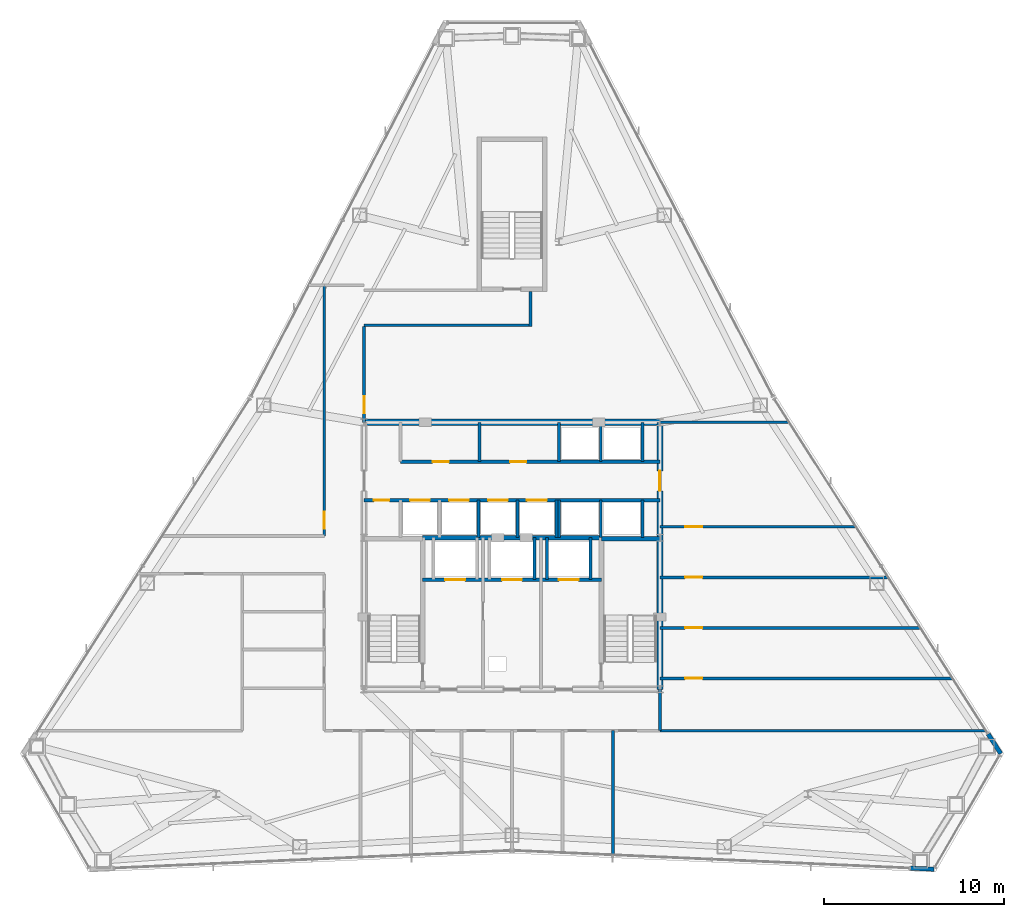
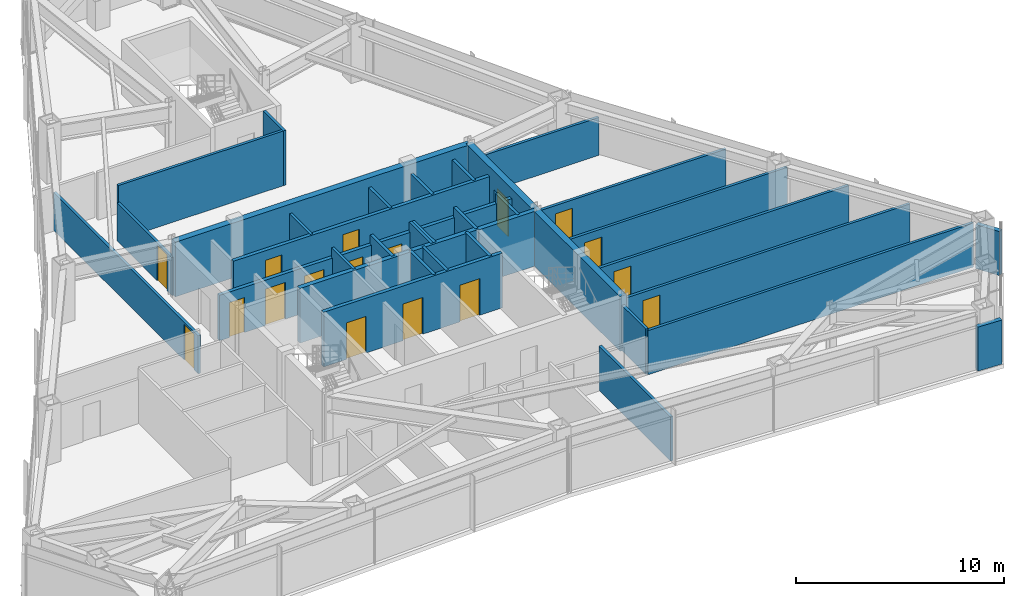
# One storey, part 11 of 13: 34 walls, 17 doors, 17 openings.
"""IFC4 building model written with IfcOpenShell, lengths in metres."""

from ifc_helpers import new_model, si_unit, direction, frame, frame_2d, origin, place, context, subcontext, project, spatial, rectangle, extrude, material, layer, layer_set, type_object, element, fill, save


model = new_model("IFC4")

# Units and contexts
model_context = context("Model", 3, precision=1e-05, world=origin(), true_north=direction((0.0, 1.0)))
body_context = subcontext(model_context, "Body", "Model", "MODEL_VIEW")
ifc_project = project(units=[si_unit("LENGTHUNIT", "METRE"), si_unit("AREAUNIT", "SQUARE_METRE"), si_unit("VOLUMEUNIT", "CUBIC_METRE"), si_unit("PLANEANGLEUNIT", "RADIAN"), si_unit("MASSUNIT", "GRAM", prefix="KILO")], contexts=[model_context])

# Site, building, storey
site_placement = place(None, origin())
site = spatial("IfcSite", under=ifc_project, at=site_placement, CompositionType="ELEMENT")
building_placement = place(site_placement, origin())
building = spatial("IfcBuilding", under=site, at=building_placement, Name="Varakhsha Concourse Tower", CompositionType="ELEMENT")
storey_placement = place(building_placement, frame((0.0, 0.0, 189.60009765625)))
storey = spatial("IfcBuildingStorey", under=building, at=storey_placement, Name="L54", CompositionType="ELEMENT", Elevation=189.60009765625)

# Wall
ifc_material_1 = material(Name="Concrete fc 65 MPa", Category="concrete")
ifc_layer_1 = layer(ifc_material_1, 0.35009765625, Name="WL-CORE-350")
ifc_layer_set_1 = layer_set([ifc_layer_1], Name="Concrete fc 65 MPa")
wall_type_1 = type_object("IfcWallType", Name="WL-CORE-350", PredefinedType="SHEAR", material=ifc_layer_set_1)
wall_1_placement = place(storey_placement, frame((31.800048828125, 31.199951171875, 0.0), z_axis=(0.0, 0.0, 1.0), x_axis=(1.0, 0.0, 0.0)))
element("IfcWall", 1, at=wall_1_placement, inside=storey, type_object=wall_type_1, Name="L54 Wall CWALL-N-L54", PredefinedType="SHEAR", context=body_context, shape_type="SweptSolid", body=[
    extrude(rectangle(XDim=16.39990234375, YDim=0.35009765625, at=frame_2d((8.199951171875, 0.0))), origin(), (0.0, 0.0, 1.0), 3.2099609375),
])

# Wall, opening, door
wall_2_placement = place(storey_placement, frame((48.199951171875, 16.39990234375, 0.0), z_axis=(0.0, 0.0, 1.0), x_axis=(0.0, 1.0, 0.0)))
wall_2 = element("IfcWall", 2, at=wall_2_placement, inside=storey, type_object=wall_type_1, Name="L54 Wall CWALL-E-L54", PredefinedType="SHEAR", context=body_context, shape_type="SweptSolid", body=[
    extrude(rectangle(XDim=14.800048828125, YDim=0.35009765625, at=frame_2d((7.39990234375, 0.0))), origin(), (0.0, 0.0, 1.0), 3.2099609375),
])
opening_1_placement = place(wall_2_placement, frame((11.0, 0.0, 0.0)))
opening_1 = element("IfcOpeningElement", 3, at=opening_1_placement, cuts=wall_2, Name="Opening DL-01", PredefinedType="OPENING", context=body_context, shape_type="SweptSolid", body=[
    extrude(rectangle(XDim=1.10009765625, YDim=2.14990234375, at=frame_2d((0.550048828125, 1.074951171875))), frame((0.0, 0.18505859375, 0.0), z_axis=(0.0, -1.0, 0.0), x_axis=(1.0, 0.0, 0.0)), (0.0, 0.0, 1.0), 0.3701171875),
])
ifc_material_2 = material(Name="Anodised Bronze Architectural Aluminium AA 6063-T6", Category="aluminium")
door_type_1 = type_object("IfcDoorType", Name="DR-LOB-1100", OperationType="NOTDEFINED", PredefinedType="DOOR", material=ifc_material_2)
door_1_placement = place(opening_1_placement, origin())
door_1 = element("IfcDoor", 4, at=door_1_placement, inside=storey, type_object=door_type_1, Name="L54 Lift Lobby East Concourse Door", OperationType="SINGLE_SWING_RIGHT", OverallHeight=2.14990234375, OverallWidth=1.10009765625, PredefinedType="DOOR", context=body_context, shape_type="SweptSolid", body=[
    extrude(rectangle(XDim=1.10009765625, YDim=2.14990234375, at=frame_2d((0.550048828125, 1.074951171875))), frame((0.0, 0.02490234375, 0.0), z_axis=(0.0, -1.0, 0.0), x_axis=(1.0, 0.0, 0.0)), (0.0, 0.0, 1.0), 0.050048828125),
])
fill(opening_1, door_1)

# Walls
ifc_material_3 = material(Name="Concrete fc 45 MPa", Category="concrete")
ifc_layer_2 = layer(ifc_material_3, 0.239990234375, Name="WL-EXT-CRN-240")
ifc_layer_set_2 = layer_set([ifc_layer_2], Name="Concrete fc 45 MPa")
wall_type_2 = type_object("IfcWallType", Name="WL-EXT-CRN-240", PredefinedType="SHEAR", material=ifc_layer_set_2)
for number, where, z_axis, x_axis, name in (
    (5, (62.093994140625, 6.481201171875, 0.0), (0.0, 0.0, 1.0), (0.999023236483, -0.044187927832, 0.0), "L54 Wind-Corner Shoulder Wall F6"),
    (6, (67.09033203125, 12.830810546875, 0.0), (0.0, 0.0, 1.0), (-0.537970071256, 0.842963938987, 0.0), "L54 Wind-Corner Shoulder Wall F8"),
):
    element("IfcWall", number, at=place(storey_placement, frame(where, z_axis=z_axis, x_axis=x_axis)), inside=storey, type_object=wall_type_2, Name=name, PredefinedType="SHEAR", context=body_context, shape_type="SweptSolid", body=[
        extrude(rectangle(XDim=1.29833984375, YDim=0.239990234375, at=frame_2d((0.649169921875, 0.0))), origin(), (0.0, 0.0, 1.0), 2.5830078125),
    ])
ifc_material_4 = material(Name="Fire-Rated Type X Gypsum Partition Assembly", Category="gypsum")
ifc_layer_3 = layer(ifc_material_4, 0.14990234375, Name="WL-PART-150")
ifc_layer_set_3 = layer_set([ifc_layer_3], Name="Fire-Rated Type X Gypsum Partition Assembly")
wall_type_3 = type_object("IfcWallType", Name="WL-PART-150", PredefinedType="PARTITIONING", material=ifc_layer_set_3)
wall_3_placement = place(storey_placement, frame((38.199951171875, 29.02001953125, 0.0), z_axis=(0.0, 0.0, 1.0), x_axis=(0.0, 1.0, 0.0)))
element("IfcWall", 7, at=wall_3_placement, inside=storey, type_object=wall_type_3, Name="L54 Wall P1F-D1-L54", PredefinedType="PARTITIONING", context=body_context, shape_type="SweptSolid", body=[
    extrude(rectangle(XDim=2.179931640625, YDim=0.14990234375, at=frame_2d((1.08984375, 0.0))), origin(), (0.0, 0.0, 1.0), 2.664794921875),
])
wall_4_placement = place(storey_placement, frame((48.199951171875, 14.10009765625, 0.0), z_axis=(0.0, 0.0, 1.0), x_axis=(0.0, 1.0, 0.0)))
element("IfcWall", 8, at=wall_4_placement, inside=storey, type_object=wall_type_3, Name="L54 Wall CRW-SE-L54", PredefinedType="PARTITIONING", context=body_context, shape_type="SweptSolid", body=[
    extrude(rectangle(XDim=2.2998046875, YDim=0.14990234375, at=frame_2d((1.14990234375, 0.0))), origin(), (0.0, 0.0, 1.0), 2.664794921875),
])

# Wall, opening, door
wall_5_placement = place(storey_placement, frame((29.60009765625, 24.89990234375, 0.0), z_axis=(0.0, 0.0, 1.0), x_axis=(0.0, 1.0, 0.0)))
wall_5 = element("IfcWall", 9, at=wall_5_placement, inside=storey, type_object=wall_type_3, Name="L54 Wall CRW-WN-L54", PredefinedType="PARTITIONING", context=body_context, shape_type="SweptSolid", body=[
    extrude(rectangle(XDim=13.900146484375, YDim=0.14990234375, at=frame_2d((6.9501953125, 0.0))), origin(), (0.0, 0.0, 1.0), 2.224853515625),
])
opening_2_placement = place(wall_5_placement, frame((0.39990234375, 0.0, 0.0)))
opening_2 = element("IfcOpeningElement", 10, at=opening_2_placement, cuts=wall_5, Name="Opening DF-05", PredefinedType="OPENING", context=body_context, shape_type="SweptSolid", body=[
    extrude(rectangle(XDim=0.949951171875, YDim=2.10009765625, at=frame_2d((0.47509765625, 1.050048828125))), frame((0.0, 0.0849609375, 0.0), z_axis=(0.0, -1.0, 0.0), x_axis=(1.0, 0.0, 0.0)), (0.0, 0.0, 1.0), 0.169921875),
])
ifc_material_5 = material(Name="Hollow Galvanised Steel Fire Door Assembly", Category="steel")
door_type_2 = type_object("IfcDoorType", Name="DR-FD60-950", OperationType="NOTDEFINED", PredefinedType="DOOR", material=ifc_material_5)
door_2_placement = place(opening_2_placement, origin())
door_2 = element("IfcDoor", 11, at=door_2_placement, inside=storey, type_object=door_type_2, Name="L54 Client Briefing Studio L54-NW Door", OperationType="SINGLE_SWING_RIGHT", OverallHeight=2.10009765625, OverallWidth=0.949951171875, PredefinedType="DOOR", context=body_context, shape_type="SweptSolid", body=[
    extrude(rectangle(XDim=0.949951171875, YDim=2.10009765625, at=frame_2d((0.47509765625, 1.050048828125))), frame((0.0, 0.02490234375, 0.0), z_axis=(0.0, -1.0, 0.0), x_axis=(1.0, 0.0, 0.0)), (0.0, 0.0, 1.0), 0.050048828125),
])
fill(opening_2, door_2)

wall_6_placement = place(storey_placement, frame((31.800048828125, 31.199951171875, 0.0), z_axis=(0.0, 0.0, 1.0), x_axis=(0.0, 1.0, 0.0)))
wall_6 = element("IfcWall", 12, at=wall_6_placement, inside=storey, type_object=wall_type_3, Name="L54 Wall CRW-NE-L54", PredefinedType="PARTITIONING", context=body_context, shape_type="SweptSolid", body=[
    extrude(rectangle(XDim=5.300048828125, YDim=0.14990234375, at=frame_2d((2.64990234375, 0.0))), origin(), (0.0, 0.0, 1.0), 2.224853515625),
])
opening_3_placement = place(wall_6_placement, frame((0.5, 0.0, 0.0)))
opening_3 = element("IfcOpeningElement", 13, at=opening_3_placement, cuts=wall_6, Name="Opening DF-05", PredefinedType="OPENING", context=body_context, shape_type="SweptSolid", body=[
    extrude(rectangle(XDim=0.949951171875, YDim=2.10009765625, at=frame_2d((0.47509765625, 1.050048828125))), frame((0.0, 0.0849609375, 0.0), z_axis=(0.0, -1.0, 0.0), x_axis=(1.0, 0.0, 0.0)), (0.0, 0.0, 1.0), 0.169921875),
])
door_3_placement = place(opening_3_placement, origin())
door_3 = element("IfcDoor", 14, at=door_3_placement, inside=storey, type_object=door_type_2, Name="L54 Mountain View Project Controls Workroom L54-NE1 Door", OperationType="SINGLE_SWING_RIGHT", OverallHeight=2.10009765625, OverallWidth=0.949951171875, PredefinedType="DOOR", context=body_context, shape_type="SweptSolid", body=[
    extrude(rectangle(XDim=0.949951171875, YDim=2.10009765625, at=frame_2d((0.47509765625, 1.050048828125))), frame((0.0, 0.02490234375, 0.0), z_axis=(0.0, -1.0, 0.0), x_axis=(1.0, 0.0, 0.0)), (0.0, 0.0, 1.0), 0.050048828125),
])
fill(opening_3, door_3)

# Walls
wall_7_placement = place(storey_placement, frame((45.60009765625, 7.21728515625, 0.0), z_axis=(0.0, 0.0, 1.0), x_axis=(0.0, 1.0, 0.0)))
element("IfcWall", 15, at=wall_7_placement, inside=storey, type_object=wall_type_3, Name="L54 Wall ODIV-S6-L54", PredefinedType="PARTITIONING", context=body_context, shape_type="SweptSolid", body=[
    extrude(rectangle(XDim=6.8828125, YDim=0.14990234375, at=frame_2d((3.44140625, 0.0))), origin(), (0.0, 0.0, 1.0), 2.5888671875),
])
wall_8_placement = place(storey_placement, frame((48.199951171875, 31.199951171875, 0.0), z_axis=(0.0, 0.0, 1.0), x_axis=(1.0, 0.0, 0.0)))
element("IfcWall", 16, at=wall_8_placement, inside=storey, type_object=wall_type_3, Name="L54 Wall ODIV-NEB-L54", PredefinedType="PARTITIONING", context=body_context, shape_type="SweptSolid", body=[
    extrude(rectangle(XDim=7.16455078125, YDim=0.14990234375, at=frame_2d((3.582275390625, 0.0))), origin(), (0.0, 0.0, 1.0), 2.224853515625),
])
wall_9_placement = place(storey_placement, frame((48.199951171875, 14.10009765625, 0.0), z_axis=(0.0, 0.0, 1.0), x_axis=(1.0, 0.0, 0.0)))
element("IfcWall", 17, at=wall_9_placement, inside=storey, type_object=wall_type_3, Name="L54 Wall ODIV-EB0-L54", PredefinedType="PARTITIONING", context=body_context, shape_type="SweptSolid", body=[
    extrude(rectangle(XDim=18.074462890625, YDim=0.14990234375, at=frame_2d((9.037109375, 0.0))), origin(), (0.0, 0.0, 1.0), 2.5888671875),
])

# Wall, opening, door
wall_10_placement = place(storey_placement, frame((48.199951171875, 17.0, 0.0), z_axis=(0.0, 0.0, 1.0), x_axis=(1.0, 0.0, 0.0)))
wall_10 = element("IfcWall", 18, at=wall_10_placement, inside=storey, type_object=wall_type_3, Name="L54 Wall ODIV-E1-L54", PredefinedType="PARTITIONING", context=body_context, shape_type="SweptSolid", body=[
    extrude(rectangle(XDim=16.224365234375, YDim=0.14990234375, at=frame_2d((8.1123046875, 0.0))), origin(), (0.0, 0.0, 1.0), 2.5888671875),
])
opening_4_placement = place(wall_10_placement, frame((1.39990234375, 0.0, 0.0)))
opening_4 = element("IfcOpeningElement", 19, at=opening_4_placement, cuts=wall_10, Name="Opening DF-05", PredefinedType="OPENING", context=body_context, shape_type="SweptSolid", body=[
    extrude(rectangle(XDim=0.949951171875, YDim=2.10009765625, at=frame_2d((0.47509765625, 1.050048828125))), frame((0.0, 0.0849609375, 0.0), z_axis=(0.0, -1.0, 0.0), x_axis=(1.0, 0.0, 0.0)), (0.0, 0.0, 1.0), 0.169921875),
])
door_4_placement = place(opening_4_placement, origin())
door_4 = element("IfcDoor", 20, at=door_4_placement, inside=storey, type_object=door_type_2, Name="L54 East Suite Interconnect Door 1", OperationType="SINGLE_SWING_LEFT", OverallHeight=2.10009765625, OverallWidth=0.949951171875, PredefinedType="DOOR", context=body_context, shape_type="SweptSolid", body=[
    extrude(rectangle(XDim=0.949951171875, YDim=2.10009765625, at=frame_2d((0.47509765625, 1.050048828125))), frame((0.0, 0.02490234375, 0.0), z_axis=(0.0, -1.0, 0.0), x_axis=(1.0, 0.0, 0.0)), (0.0, 0.0, 1.0), 0.050048828125),
])
fill(opening_4, door_4)

wall_11_placement = place(storey_placement, frame((48.199951171875, 19.800048828125, 0.0), z_axis=(0.0, 0.0, 1.0), x_axis=(1.0, 0.0, 0.0)))
wall_11 = element("IfcWall", 21, at=wall_11_placement, inside=storey, type_object=wall_type_3, Name="L54 Wall ODIV-E2-L54", PredefinedType="PARTITIONING", context=body_context, shape_type="SweptSolid", body=[
    extrude(rectangle(XDim=14.43798828125, YDim=0.14990234375, at=frame_2d((7.218994140625, 0.0))), origin(), (0.0, 0.0, 1.0), 2.5888671875),
])
opening_5_placement = place(wall_11_placement, frame((1.39990234375, 0.0, 0.0)))
opening_5 = element("IfcOpeningElement", 22, at=opening_5_placement, cuts=wall_11, Name="Opening DF-05", PredefinedType="OPENING", context=body_context, shape_type="SweptSolid", body=[
    extrude(rectangle(XDim=0.949951171875, YDim=2.10009765625, at=frame_2d((0.47509765625, 1.050048828125))), frame((0.0, 0.0849609375, 0.0), z_axis=(0.0, -1.0, 0.0), x_axis=(1.0, 0.0, 0.0)), (0.0, 0.0, 1.0), 0.169921875),
])
door_5_placement = place(opening_5_placement, origin())
door_5 = element("IfcDoor", 23, at=door_5_placement, inside=storey, type_object=door_type_2, Name="L54 East Suite Interconnect Door 2", OperationType="SINGLE_SWING_RIGHT", OverallHeight=2.10009765625, OverallWidth=0.949951171875, PredefinedType="DOOR", context=body_context, shape_type="SweptSolid", body=[
    extrude(rectangle(XDim=0.949951171875, YDim=2.10009765625, at=frame_2d((0.47509765625, 1.050048828125))), frame((0.0, 0.02490234375, 0.0), z_axis=(0.0, -1.0, 0.0), x_axis=(1.0, 0.0, 0.0)), (0.0, 0.0, 1.0), 0.050048828125),
])
fill(opening_5, door_5)

wall_12_placement = place(storey_placement, frame((48.199951171875, 22.60009765625, 0.0), z_axis=(0.0, 0.0, 1.0), x_axis=(1.0, 0.0, 0.0)))
wall_12 = element("IfcWall", 24, at=wall_12_placement, inside=storey, type_object=wall_type_3, Name="L54 Wall ODIV-E3-L54", PredefinedType="PARTITIONING", context=body_context, shape_type="SweptSolid", body=[
    extrude(rectangle(XDim=12.651611328125, YDim=0.14990234375, at=frame_2d((6.32568359375, 0.0))), origin(), (0.0, 0.0, 1.0), 2.5888671875),
])
opening_6_placement = place(wall_12_placement, frame((1.39990234375, 0.0, 0.0)))
opening_6 = element("IfcOpeningElement", 25, at=opening_6_placement, cuts=wall_12, Name="Opening DF-05", PredefinedType="OPENING", context=body_context, shape_type="SweptSolid", body=[
    extrude(rectangle(XDim=0.949951171875, YDim=2.10009765625, at=frame_2d((0.47509765625, 1.050048828125))), frame((0.0, 0.0849609375, 0.0), z_axis=(0.0, -1.0, 0.0), x_axis=(1.0, 0.0, 0.0)), (0.0, 0.0, 1.0), 0.169921875),
])
door_6_placement = place(opening_6_placement, origin())
door_6 = element("IfcDoor", 26, at=door_6_placement, inside=storey, type_object=door_type_2, Name="L54 East Suite Interconnect Door 3", OperationType="SINGLE_SWING_LEFT", OverallHeight=2.10009765625, OverallWidth=0.949951171875, PredefinedType="DOOR", context=body_context, shape_type="SweptSolid", body=[
    extrude(rectangle(XDim=0.949951171875, YDim=2.10009765625, at=frame_2d((0.47509765625, 1.050048828125))), frame((0.0, 0.02490234375, 0.0), z_axis=(0.0, -1.0, 0.0), x_axis=(1.0, 0.0, 0.0)), (0.0, 0.0, 1.0), 0.050048828125),
])
fill(opening_6, door_6)

wall_13_placement = place(storey_placement, frame((48.199951171875, 25.39990234375, 0.0), z_axis=(0.0, 0.0, 1.0), x_axis=(1.0, 0.0, 0.0)))
wall_13 = element("IfcWall", 27, at=wall_13_placement, inside=storey, type_object=wall_type_3, Name="L54 Wall ODIV-E4-L54", PredefinedType="PARTITIONING", context=body_context, shape_type="SweptSolid", body=[
    extrude(rectangle(XDim=10.864990234375, YDim=0.14990234375, at=frame_2d((5.4326171875, 0.0))), origin(), (0.0, 0.0, 1.0), 2.5888671875),
])
opening_7_placement = place(wall_13_placement, frame((1.39990234375, 0.0, 0.0)))
opening_7 = element("IfcOpeningElement", 28, at=opening_7_placement, cuts=wall_13, Name="Opening DF-05", PredefinedType="OPENING", context=body_context, shape_type="SweptSolid", body=[
    extrude(rectangle(XDim=0.949951171875, YDim=2.10009765625, at=frame_2d((0.47509765625, 1.050048828125))), frame((0.0, 0.0849609375, 0.0), z_axis=(0.0, -1.0, 0.0), x_axis=(1.0, 0.0, 0.0)), (0.0, 0.0, 1.0), 0.169921875),
])
door_7_placement = place(opening_7_placement, origin())
door_7 = element("IfcDoor", 29, at=door_7_placement, inside=storey, type_object=door_type_2, Name="L54 East Suite Interconnect Door 4", OperationType="SINGLE_SWING_RIGHT", OverallHeight=2.10009765625, OverallWidth=0.949951171875, PredefinedType="DOOR", context=body_context, shape_type="SweptSolid", body=[
    extrude(rectangle(XDim=0.949951171875, YDim=2.10009765625, at=frame_2d((0.47509765625, 1.050048828125))), frame((0.0, 0.02490234375, 0.0), z_axis=(0.0, -1.0, 0.0), x_axis=(1.0, 0.0, 0.0)), (0.0, 0.0, 1.0), 0.050048828125),
])
fill(opening_7, door_7)

# Walls
wall_14_placement = place(storey_placement, frame((31.800048828125, 36.574951171875, 0.0), z_axis=(0.0, 0.0, 1.0), x_axis=(1.0, 0.0, 0.0)))
element("IfcWall", 30, at=wall_14_placement, inside=storey, type_object=wall_type_3, Name="L54 Wall STLK-S-L54", PredefinedType="PARTITIONING", context=body_context, shape_type="SweptSolid", body=[
    extrude(rectangle(XDim=9.14990234375, YDim=0.14990234375, at=frame_2d((4.574951171875, 0.0))), origin(), (0.0, 0.0, 1.0), 3.2099609375),
])
wall_15_placement = place(storey_placement, frame((41.02490234375, 36.5, 0.0), z_axis=(0.0, 0.0, 1.0), x_axis=(0.0, 1.0, 0.0)))
element("IfcWall", 31, at=wall_15_placement, inside=storey, type_object=wall_type_3, Name="L54 Wall STLK-E-L54", PredefinedType="PARTITIONING", context=body_context, shape_type="SweptSolid", body=[
    extrude(rectangle(XDim=1.949951171875, YDim=0.14990234375, at=frame_2d((0.97509765625, 0.0))), origin(), (0.0, 0.0, 1.0), 3.2099609375),
])

# Wall, openings, doors
ifc_layer_4 = layer(ifc_material_4, 0.199951171875, Name="WL-SHAFT-220")
ifc_layer_set_4 = layer_set([ifc_layer_4], Name="Fire-Rated Type X Gypsum Partition Assembly")
wall_type_4 = type_object("IfcWallType", Name="WL-SHAFT-220", PredefinedType="SOLIDWALL", material=ifc_layer_set_4)
wall_16_placement = place(storey_placement, frame((35.044921875, 22.47998046875, 0.0), z_axis=(0.0, 0.0, 1.0), x_axis=(1.0, 0.0, 0.0)))
wall_16 = element("IfcWall", 32, at=wall_16_placement, inside=storey, type_object=wall_type_4, Name="L54 Wall FFW-NH-L54", PredefinedType="SOLIDWALL", context=body_context, shape_type="SweptSolid", body=[
    extrude(rectangle(XDim=9.91015625, YDim=0.199951171875, at=frame_2d((4.955078125, 0.0))), origin(), (0.0, 0.0, 1.0), 3.2099609375),
])
opening_8_placement = place(wall_16_placement, frame((1.2548828125, 0.0, 0.0)))
opening_8 = element("IfcOpeningElement", 33, at=opening_8_placement, cuts=wall_16, Name="Opening LD-FFL-1", PredefinedType="OPENING", context=body_context, shape_type="SweptSolid", body=[
    extrude(rectangle(XDim=1.10009765625, YDim=2.14990234375, at=frame_2d((0.550048828125, 1.074951171875))), frame((0.0, 0.10986328125, 0.0), z_axis=(0.0, -1.0, 0.0), x_axis=(1.0, 0.0, 0.0)), (0.0, 0.0, 1.0), 0.219970703125),
])
opening_9_placement = place(wall_16_placement, frame((7.554931640625, 0.0, 0.0)))
opening_9 = element("IfcOpeningElement", 34, at=opening_9_placement, cuts=wall_16, Name="Opening LD-FFL-2", PredefinedType="OPENING", context=body_context, shape_type="SweptSolid", body=[
    extrude(rectangle(XDim=1.10009765625, YDim=2.14990234375, at=frame_2d((0.550048828125, 1.074951171875))), frame((0.0, 0.10986328125, 0.0), z_axis=(0.0, -1.0, 0.0), x_axis=(1.0, 0.0, 0.0)), (0.0, 0.0, 1.0), 0.219970703125),
])
opening_10_placement = place(wall_16_placement, frame((4.405029296875, 0.0, 0.0)))
opening_10 = element("IfcOpeningElement", 35, at=opening_10_placement, cuts=wall_16, Name="Opening LD-SVL-1", PredefinedType="OPENING", context=body_context, shape_type="SweptSolid", body=[
    extrude(rectangle(XDim=1.10009765625, YDim=2.14990234375, at=frame_2d((0.550048828125, 1.074951171875))), frame((0.0, 0.10986328125, 0.0), z_axis=(0.0, -1.0, 0.0), x_axis=(1.0, 0.0, 0.0)), (0.0, 0.0, 1.0), 0.219970703125),
])
ifc_material_6 = material(Name="Brushed Austenitic Stainless Steel AISI 316", Category="steel")
door_type_3 = type_object("IfcDoorType", Name="DR-LD-1100", OperationType="DOUBLE_DOOR_SLIDING", PredefinedType="DOOR", material=ifc_material_6)
door_8_placement = place(opening_8_placement, origin())
door_8 = element("IfcDoor", 36, at=door_8_placement, inside=storey, type_object=door_type_3, Name="Lift Landing Door FFL-1 L54", OperationType="DOUBLE_DOOR_SLIDING", OverallHeight=2.14990234375, OverallWidth=1.10009765625, PredefinedType="DOOR", context=body_context, shape_type="SweptSolid", body=[
    extrude(rectangle(XDim=1.10009765625, YDim=2.14990234375, at=frame_2d((0.550048828125, 1.074951171875))), frame((0.0, 0.02490234375, 0.0), z_axis=(0.0, -1.0, 0.0), x_axis=(1.0, 0.0, 0.0)), (0.0, 0.0, 1.0), 0.050048828125),
])
fill(opening_8, door_8)
door_9_placement = place(opening_9_placement, origin())
door_9 = element("IfcDoor", 37, at=door_9_placement, inside=storey, type_object=door_type_3, Name="Lift Landing Door FFL-2 L54", OperationType="DOUBLE_DOOR_SLIDING", OverallHeight=2.14990234375, OverallWidth=1.10009765625, PredefinedType="DOOR", context=body_context, shape_type="SweptSolid", body=[
    extrude(rectangle(XDim=1.10009765625, YDim=2.14990234375, at=frame_2d((0.550048828125, 1.074951171875))), frame((0.0, 0.02490234375, 0.0), z_axis=(0.0, -1.0, 0.0), x_axis=(1.0, 0.0, 0.0)), (0.0, 0.0, 1.0), 0.050048828125),
])
fill(opening_9, door_9)
door_10_placement = place(opening_10_placement, origin())
door_10 = element("IfcDoor", 38, at=door_10_placement, inside=storey, type_object=door_type_3, Name="Lift Landing Door SVL-1 L54", OperationType="DOUBLE_DOOR_SLIDING", OverallHeight=2.14990234375, OverallWidth=1.10009765625, PredefinedType="DOOR", context=body_context, shape_type="SweptSolid", body=[
    extrude(rectangle(XDim=1.10009765625, YDim=2.14990234375, at=frame_2d((0.550048828125, 1.074951171875))), frame((0.0, 0.02490234375, 0.0), z_axis=(0.0, -1.0, 0.0), x_axis=(1.0, 0.0, 0.0)), (0.0, 0.0, 1.0), 0.050048828125),
])
fill(opening_10, door_10)

# Walls
for number, where, z_axis, x_axis, name in (
    (39, (41.949951171875, 22.47998046875, 0.0), (0.0, 0.0, 1.0), (0.0, 1.0, 0.0), "L54 Wall SHW-FFL-2-W-L54"),
    (40, (44.35009765625, 22.47998046875, 0.0), (0.0, 0.0, 1.0), (0.0, 1.0, 0.0), "L54 Wall SHW-FFL-2-E-L54"),
    (41, (41.25, 22.47998046875, 0.0), (0.0, 0.0, 1.0), (0.0, 1.0, 0.0), "L54 Wall SHW-SVL-1-E-L54"),
):
    element("IfcWall", number, at=place(storey_placement, frame(where, z_axis=z_axis, x_axis=x_axis)), inside=storey, type_object=wall_type_4, Name=name, PredefinedType="SOLIDWALL", context=body_context, shape_type="SweptSolid", body=[
        extrude(rectangle(XDim=2.320068359375, YDim=0.159912109375, at=frame_2d((1.16015625, 0.0))), origin(), (0.0, 0.0, 1.0), 3.2099609375),
    ])

# Wall, openings, doors
wall_17_placement = place(storey_placement, frame((33.820068359375, 29.02001953125, 0.0), z_axis=(0.0, 0.0, 1.0), x_axis=(1.0, 0.0, 0.0)))
wall_17 = element("IfcWall", 42, at=wall_17_placement, inside=storey, type_object=wall_type_4, Name="L54 Wall PLW-N-L54", PredefinedType="SOLIDWALL", context=body_context, shape_type="SweptSolid", body=[
    extrude(rectangle(XDim=14.3798828125, YDim=0.199951171875, at=frame_2d((7.18994140625, 0.0))), origin(), (0.0, 0.0, 1.0), 2.664794921875),
])
opening_11_placement = place(wall_17_placement, frame((1.780029296875, 0.0, 0.0)))
opening_11 = element("IfcOpeningElement", 43, at=opening_11_placement, cuts=wall_17, Name="Opening DF-06", PredefinedType="OPENING", context=body_context, shape_type="SweptSolid", body=[
    extrude(rectangle(XDim=0.89990234375, YDim=2.10009765625, at=frame_2d((0.449951171875, 1.050048828125))), frame((0.0, 0.10986328125, 0.0), z_axis=(0.0, -1.0, 0.0), x_axis=(1.0, 0.0, 0.0)), (0.0, 0.0, 1.0), 0.219970703125),
])
opening_12_placement = place(wall_17_placement, frame((6.070068359375, 0.0, 0.0)))
opening_12 = element("IfcOpeningElement", 44, at=opening_12_placement, cuts=wall_17, Name="Opening DF-06", PredefinedType="OPENING", context=body_context, shape_type="SweptSolid", body=[
    extrude(rectangle(XDim=0.89990234375, YDim=2.10009765625, at=frame_2d((0.449951171875, 1.050048828125))), frame((0.0, 0.10986328125, 0.0), z_axis=(0.0, -1.0, 0.0), x_axis=(1.0, 0.0, 0.0)), (0.0, 0.0, 1.0), 0.219970703125),
])
door_type_4 = type_object("IfcDoorType", Name="DR-FD60-900", OperationType="NOTDEFINED", PredefinedType="DOOR", material=ifc_material_5)
door_11_placement = place(opening_11_placement, origin())
door_11 = element("IfcDoor", 45, at=door_11_placement, inside=storey, type_object=door_type_4, Name="L54 Tenant Archive and IT Server Room Door", OperationType="SINGLE_SWING_LEFT", OverallHeight=2.10009765625, OverallWidth=0.89990234375, PredefinedType="DOOR", context=body_context, shape_type="SweptSolid", body=[
    extrude(rectangle(XDim=0.89990234375, YDim=2.10009765625, at=frame_2d((0.449951171875, 1.050048828125))), frame((0.0, 0.02490234375, 0.0), z_axis=(0.0, -1.0, 0.0), x_axis=(1.0, 0.0, 0.0)), (0.0, 0.0, 1.0), 0.050048828125),
])
fill(opening_11, door_11)
door_12_placement = place(opening_12_placement, origin())
door_12 = element("IfcDoor", 46, at=door_12_placement, inside=storey, type_object=door_type_4, Name="L54 Core Facility Closet N1 Door", OperationType="SINGLE_SWING_RIGHT", OverallHeight=2.10009765625, OverallWidth=0.89990234375, PredefinedType="DOOR", context=body_context, shape_type="SweptSolid", body=[
    extrude(rectangle(XDim=0.89990234375, YDim=2.10009765625, at=frame_2d((0.449951171875, 1.050048828125))), frame((0.0, 0.02490234375, 0.0), z_axis=(0.0, -1.0, 0.0), x_axis=(1.0, 0.0, 0.0)), (0.0, 0.0, 1.0), 0.050048828125),
])
fill(opening_12, door_12)

wall_18_placement = place(storey_placement, frame((31.800048828125, 26.8798828125, 0.0), z_axis=(0.0, 0.0, 1.0), x_axis=(1.0, 0.0, 0.0)))
wall_18 = element("IfcWall", 47, at=wall_18_placement, inside=storey, type_object=wall_type_4, Name="L54 Wall PLW-S-L54", PredefinedType="SOLIDWALL", context=body_context, shape_type="SweptSolid", body=[
    extrude(rectangle(XDim=16.39990234375, YDim=0.199951171875, at=frame_2d((8.199951171875, 0.0))), origin(), (0.0, 0.0, 1.0), 2.664794921875),
])
opening_13_placement = place(wall_18_placement, frame((0.550048828125, 0.0, 0.0)))
opening_13 = element("IfcOpeningElement", 48, at=opening_13_placement, cuts=wall_18, Name="Opening DF-07", PredefinedType="OPENING", context=body_context, shape_type="SweptSolid", body=[
    extrude(rectangle(XDim=0.85009765625, YDim=2.050048828125, at=frame_2d((0.425048828125, 1.02490234375))), frame((0.0, 0.10986328125, 0.0), z_axis=(0.0, -1.0, 0.0), x_axis=(1.0, 0.0, 0.0)), (0.0, 0.0, 1.0), 0.219970703125),
])
opening_14_placement = place(wall_18_placement, frame((2.550048828125, 0.0, 0.0)))
opening_14 = element("IfcOpeningElement", 49, at=opening_14_placement, cuts=wall_18, Name="Opening LD-LF-P05", PredefinedType="OPENING", context=body_context, shape_type="SweptSolid", body=[
    extrude(rectangle(XDim=1.10009765625, YDim=2.14990234375, at=frame_2d((0.550048828125, 1.074951171875))), frame((0.0, 0.10986328125, 0.0), z_axis=(0.0, -1.0, 0.0), x_axis=(1.0, 0.0, 0.0)), (0.0, 0.0, 1.0), 0.219970703125),
])
opening_15_placement = place(wall_18_placement, frame((4.7099609375, 0.0, 0.0)))
opening_15 = element("IfcOpeningElement", 50, at=opening_15_placement, cuts=wall_18, Name="Opening LD-LF-P06", PredefinedType="OPENING", context=body_context, shape_type="SweptSolid", body=[
    extrude(rectangle(XDim=1.10009765625, YDim=2.14990234375, at=frame_2d((0.550048828125, 1.074951171875))), frame((0.0, 0.10986328125, 0.0), z_axis=(0.0, -1.0, 0.0), x_axis=(1.0, 0.0, 0.0)), (0.0, 0.0, 1.0), 0.219970703125),
])
opening_16_placement = place(wall_18_placement, frame((6.8701171875, 0.0, 0.0)))
opening_16 = element("IfcOpeningElement", 51, at=opening_16_placement, cuts=wall_18, Name="Opening LD-LF-P07", PredefinedType="OPENING", context=body_context, shape_type="SweptSolid", body=[
    extrude(rectangle(XDim=1.10009765625, YDim=2.14990234375, at=frame_2d((0.550048828125, 1.074951171875))), frame((0.0, 0.10986328125, 0.0), z_axis=(0.0, -1.0, 0.0), x_axis=(1.0, 0.0, 0.0)), (0.0, 0.0, 1.0), 0.219970703125),
])
opening_17_placement = place(wall_18_placement, frame((9.030029296875, 0.0, 0.0)))
opening_17 = element("IfcOpeningElement", 52, at=opening_17_placement, cuts=wall_18, Name="Opening LD-LF-P08", PredefinedType="OPENING", context=body_context, shape_type="SweptSolid", body=[
    extrude(rectangle(XDim=1.10009765625, YDim=2.14990234375, at=frame_2d((0.550048828125, 1.074951171875))), frame((0.0, 0.10986328125, 0.0), z_axis=(0.0, -1.0, 0.0), x_axis=(1.0, 0.0, 0.0)), (0.0, 0.0, 1.0), 0.219970703125),
])
door_type_5 = type_object("IfcDoorType", Name="DR-FD60-850", OperationType="NOTDEFINED", PredefinedType="DOOR", material=ifc_material_5)
door_13_placement = place(opening_13_placement, origin())
door_13 = element("IfcDoor", 53, at=door_13_placement, inside=storey, type_object=door_type_5, Name="L54 Core Telecoms Closet Door", OperationType="SINGLE_SWING_RIGHT", OverallHeight=2.050048828125, OverallWidth=0.85009765625, PredefinedType="DOOR", context=body_context, shape_type="SweptSolid", body=[
    extrude(rectangle(XDim=0.85009765625, YDim=2.050048828125, at=frame_2d((0.425048828125, 1.02490234375))), frame((0.0, 0.02490234375, 0.0), z_axis=(0.0, -1.0, 0.0), x_axis=(1.0, 0.0, 0.0)), (0.0, 0.0, 1.0), 0.050048828125),
])
fill(opening_13, door_13)
door_14_placement = place(opening_14_placement, origin())
door_14 = element("IfcDoor", 54, at=door_14_placement, inside=storey, type_object=door_type_3, Name="Lift Landing Door LF-P05 L54", OperationType="DOUBLE_DOOR_SLIDING", OverallHeight=2.14990234375, OverallWidth=1.10009765625, PredefinedType="DOOR", context=body_context, shape_type="SweptSolid", body=[
    extrude(rectangle(XDim=1.10009765625, YDim=2.14990234375, at=frame_2d((0.550048828125, 1.074951171875))), frame((0.0, 0.02490234375, 0.0), z_axis=(0.0, -1.0, 0.0), x_axis=(1.0, 0.0, 0.0)), (0.0, 0.0, 1.0), 0.050048828125),
])
fill(opening_14, door_14)
door_15_placement = place(opening_15_placement, origin())
door_15 = element("IfcDoor", 55, at=door_15_placement, inside=storey, type_object=door_type_3, Name="Lift Landing Door LF-P06 L54", OperationType="DOUBLE_DOOR_SLIDING", OverallHeight=2.14990234375, OverallWidth=1.10009765625, PredefinedType="DOOR", context=body_context, shape_type="SweptSolid", body=[
    extrude(rectangle(XDim=1.10009765625, YDim=2.14990234375, at=frame_2d((0.550048828125, 1.074951171875))), frame((0.0, 0.02490234375, 0.0), z_axis=(0.0, -1.0, 0.0), x_axis=(1.0, 0.0, 0.0)), (0.0, 0.0, 1.0), 0.050048828125),
])
fill(opening_15, door_15)
door_16_placement = place(opening_16_placement, origin())
door_16 = element("IfcDoor", 56, at=door_16_placement, inside=storey, type_object=door_type_3, Name="Lift Landing Door LF-P07 L54", OperationType="DOUBLE_DOOR_SLIDING", OverallHeight=2.14990234375, OverallWidth=1.10009765625, PredefinedType="DOOR", context=body_context, shape_type="SweptSolid", body=[
    extrude(rectangle(XDim=1.10009765625, YDim=2.14990234375, at=frame_2d((0.550048828125, 1.074951171875))), frame((0.0, 0.02490234375, 0.0), z_axis=(0.0, -1.0, 0.0), x_axis=(1.0, 0.0, 0.0)), (0.0, 0.0, 1.0), 0.050048828125),
])
fill(opening_16, door_16)
door_17_placement = place(opening_17_placement, origin())
door_17 = element("IfcDoor", 57, at=door_17_placement, inside=storey, type_object=door_type_3, Name="Lift Landing Door LF-P08 L54", OperationType="DOUBLE_DOOR_SLIDING", OverallHeight=2.14990234375, OverallWidth=1.10009765625, PredefinedType="DOOR", context=body_context, shape_type="SweptSolid", body=[
    extrude(rectangle(XDim=1.10009765625, YDim=2.14990234375, at=frame_2d((0.550048828125, 1.074951171875))), frame((0.0, 0.02490234375, 0.0), z_axis=(0.0, -1.0, 0.0), x_axis=(1.0, 0.0, 0.0)), (0.0, 0.0, 1.0), 0.050048828125),
])
fill(opening_17, door_17)

# Walls
for number, where, z_axis, x_axis, name in (
    (58, (38.139892578125, 24.800048828125, 0.0), (0.0, 0.0, 1.0), (0.0, 1.0, 0.0), "L54 Wall SHW-LF-P06-E-L54"),
    (59, (40.300048828125, 24.800048828125, 0.0), (0.0, 0.0, 1.0), (0.0, 1.0, 0.0), "L54 Wall SHW-LF-P07-E-L54"),
    (60, (42.4599609375, 24.800048828125, 0.0), (0.0, 0.0, 1.0), (0.0, 1.0, 0.0), "L54 Wall SHW-LF-P08-E-L54"),
):
    element("IfcWall", number, at=place(storey_placement, frame(where, z_axis=z_axis, x_axis=x_axis)), inside=storey, type_object=wall_type_4, Name=name, PredefinedType="SOLIDWALL", context=body_context, shape_type="SweptSolid", body=[
        extrude(rectangle(XDim=2.079833984375, YDim=0.159912109375, at=frame_2d((1.0400390625, 0.0))), origin(), (0.0, 0.0, 1.0), 3.2099609375),
    ])
for number, where, z_axis, x_axis, name in (
    (61, (42.60009765625, 29.02001953125, 0.0), (0.0, 0.0, 1.0), (0.0, 1.0, 0.0), "L54 Wall SHW-LF-P09-W-L54"),
    (62, (44.919921875, 29.02001953125, 0.0), (0.0, 0.0, 1.0), (0.0, 1.0, 0.0), "L54 Wall SHW-LF-P09-E-L54"),
    (63, (47.239990234375, 29.02001953125, 0.0), (0.0, 0.0, 1.0), (0.0, 1.0, 0.0), "L54 Wall SHW-LF-P10-E-L54"),
):
    element("IfcWall", number, at=place(storey_placement, frame(where, z_axis=z_axis, x_axis=x_axis)), inside=storey, type_object=wall_type_4, Name=name, PredefinedType="SOLIDWALL", context=body_context, shape_type="SweptSolid", body=[
        extrude(rectangle(XDim=2.179931640625, YDim=0.159912109375, at=frame_2d((1.08984375, 0.0))), origin(), (0.0, 0.0, 1.0), 2.664794921875),
    ])
for number, where, z_axis, x_axis, name in (
    (64, (42.60009765625, 24.800048828125, 0.0), (0.0, 0.0, 1.0), (0.0, 1.0, 0.0), "L54 Wall SHW-LF-P11-W-L54"),
    (65, (44.919921875, 24.800048828125, 0.0), (0.0, 0.0, 1.0), (0.0, 1.0, 0.0), "L54 Wall SHW-LF-P11-E-L54"),
    (66, (47.239990234375, 24.800048828125, 0.0), (0.0, 0.0, 1.0), (0.0, 1.0, 0.0), "L54 Wall SHW-LF-P12-E-L54"),
):
    element("IfcWall", number, at=place(storey_placement, frame(where, z_axis=z_axis, x_axis=x_axis)), inside=storey, type_object=wall_type_4, Name=name, PredefinedType="SOLIDWALL", context=body_context, shape_type="SweptSolid", body=[
        extrude(rectangle(XDim=2.079833984375, YDim=0.159912109375, at=frame_2d((1.0400390625, 0.0))), origin(), (0.0, 0.0, 1.0), 3.2099609375),
    ])
ifc_layer_5 = layer(ifc_material_3, 0.25, Name="WL-STAIR-250")
ifc_layer_set_5 = layer_set([ifc_layer_5], Name="Concrete fc 45 MPa")
wall_type_5 = type_object("IfcWallType", Name="WL-STAIR-250", PredefinedType="SHEAR", material=ifc_layer_set_5)
wall_19_placement = place(storey_placement, frame((44.955078125, 24.7548828125, 0.0), z_axis=(0.0, 0.0, 1.0), x_axis=(1.0, 0.0, 0.0)))
element("IfcWall", 67, at=wall_19_placement, inside=storey, type_object=wall_type_5, Name="L54 Wall SWALL-ST2-N-L54", PredefinedType="SHEAR", context=body_context, shape_type="SweptSolid", body=[
    extrude(rectangle(XDim=3.244873046875, YDim=0.25, at=frame_2d((1.62255859375, 0.0))), origin(), (0.0, 0.0, 1.0), 3.2099609375),
])
wall_20_placement = place(storey_placement, frame((35.044921875, 24.800048828125, 0.0), z_axis=(0.0, 0.0, 1.0), x_axis=(1.0, 0.0, 0.0)))
element("IfcWall", 68, at=wall_20_placement, inside=storey, type_object=wall_type_5, Name="L54 Wall SWALL-MID-H-L54", PredefinedType="SHEAR", context=body_context, shape_type="SweptSolid", body=[
    extrude(rectangle(XDim=9.91015625, YDim=0.25, at=frame_2d((4.955078125, 0.0))), origin(), (0.0, 0.0, 1.0), 3.2099609375),
])

save(model, "model.ifc")
